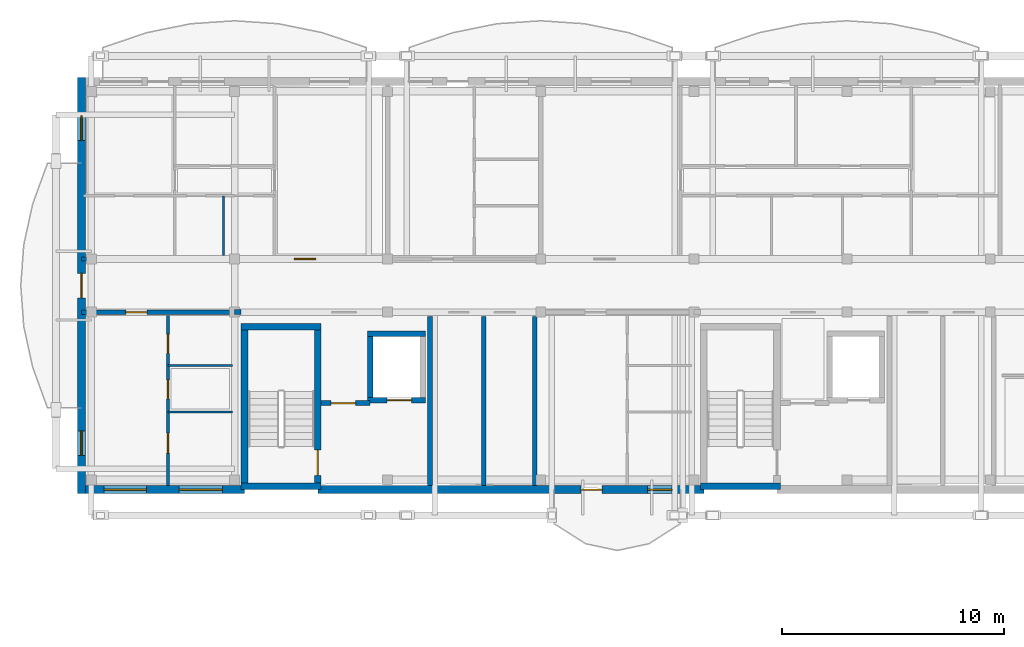
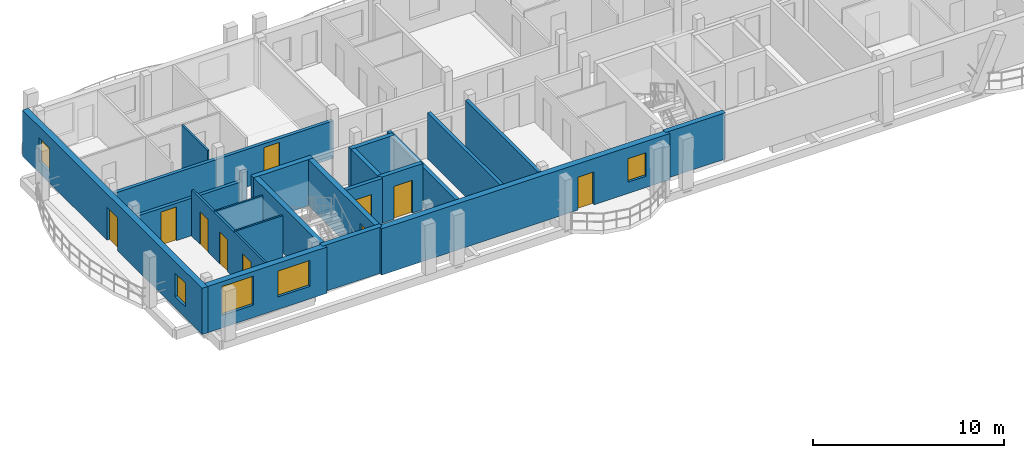
# One storey, part 20 of 44: 22 walls, 10 doors, 5 windows, 15 openings.
"""IFC4 building model written with IfcOpenShell, lengths in metres."""

from ifc_helpers import new_model, si_unit, direction, frame, frame_2d, origin, origin_with_axes, place, context, subcontext, project, spatial, rectangle, extrude, material, layer, layer_set, type_object, element, fill, save


model = new_model("IFC4")

# Units and contexts
model_context = context("Model", 3, precision=1e-05, world=origin(), true_north=direction((0.0, 1.0)))
body_context = subcontext(model_context, "Body", "Model", "MODEL_VIEW")
ifc_project = project(units=[si_unit("LENGTHUNIT", "METRE"), si_unit("AREAUNIT", "SQUARE_METRE"), si_unit("VOLUMEUNIT", "CUBIC_METRE"), si_unit("PLANEANGLEUNIT", "RADIAN"), si_unit("MASSUNIT", "GRAM", prefix="KILO")], contexts=[model_context])

# Site, building, storey
site_placement = place(None, origin())
site = spatial("IfcSite", under=ifc_project, at=site_placement, CompositionType="ELEMENT")
building_placement = place(site_placement, origin())
building = spatial("IfcBuilding", under=site, at=building_placement, Name="Zavelmont Quarter", CompositionType="ELEMENT")
storey_placement = place(building_placement, frame((0.0, 0.0, 20.800048828125)))
storey = spatial("IfcBuildingStorey", under=building, at=storey_placement, Name="L06", CompositionType="ELEMENT", Elevation=20.800048828125)

# Wall, openings, windows
ifc_material_1 = material(Name="Natural Belgian limestone", Category="masonry")
ifc_layer_1 = layer(ifc_material_1, 0.360107421875)
ifc_layer_set_1 = layer_set([ifc_layer_1], Name="Natural Belgian limestone")
wall_type_1 = type_object("IfcWallType", Name="EW02", PredefinedType="STANDARD", material=ifc_layer_set_1)
wall_1_placement = place(storey_placement, frame((0.169921875, 97.60009765625, 0.0), z_axis=(0.0, 0.0, 1.0), x_axis=(1.0, 0.0, 0.0)))
wall_1 = element("IfcWall", 1, at=wall_1_placement, inside=storey, type_object=wall_type_1, Name="L06 exterior limestone wall EW02", PredefinedType="STANDARD", context=body_context, shape_type="SweptSolid", body=[
    extrude(rectangle(XDim=7.18017578125, YDim=0.360107421875, at=frame_2d((3.590087890625, 0.0))), origin(), (0.0, 0.0, 1.0), 2.949951171875),
])
opening_1_placement = place(wall_1_placement, frame((0.85009765625, 0.0, 0.800048828125)))
opening_1 = element("IfcOpeningElement", 2, at=opening_1_placement, cuts=wall_1, Name="Opening WN20", PredefinedType="OPENING", context=body_context, shape_type="SweptSolid", body=[
    extrude(rectangle(XDim=1.89990234375, YDim=1.85009765625, at=frame_2d((0.949951171875, 0.925048828125))), frame((0.0, 0.19189453125, 0.0), z_axis=(0.0, -1.0, 0.0), x_axis=(1.0, 0.0, 0.0)), (0.0, 0.0, 1.0), 0.384033203125),
])
opening_2_placement = place(wall_1_placement, frame((4.22509765625, 0.0, 0.800048828125)))
opening_2 = element("IfcOpeningElement", 3, at=opening_2_placement, cuts=wall_1, Name="Opening WN24", PredefinedType="OPENING", context=body_context, shape_type="SweptSolid", body=[
    extrude(rectangle(XDim=1.949951171875, YDim=1.64990234375, at=frame_2d((0.97509765625, 0.824951171875))), frame((0.0, 0.19189453125, 0.0), z_axis=(0.0, -1.0, 0.0), x_axis=(1.0, 0.0, 0.0)), (0.0, 0.0, 1.0), 0.384033203125),
])
ifc_material_2 = material(Name="Double low-E insulated glazing in thermally broken aluminium frame", Category="aluminium")
window_type_1 = type_object("IfcWindowType", Name="WN20", PartitioningType="SINGLE_PANEL", PredefinedType="WINDOW", material=ifc_material_2)
window_1_placement = place(opening_1_placement, origin_with_axes())
window_1 = element("IfcWindow", 4, at=window_1_placement, inside=storey, type_object=window_type_1, Name="L06 window WN20", OverallHeight=1.85009765625, OverallWidth=1.89990234375, PartitioningType="SINGLE_PANEL", PredefinedType="WINDOW", context=body_context, shape_type="SweptSolid", body=[
    extrude(rectangle(XDim=1.89990234375, YDim=1.85009765625, at=frame_2d((0.949951171875, 0.925048828125))), frame((0.0, 0.030029296875, 0.0), z_axis=(0.0, -1.0, 0.0), x_axis=(1.0, 0.0, 0.0)), (0.0, 0.0, 1.0), 0.06005859375),
])
fill(opening_1, window_1)
window_type_2 = type_object("IfcWindowType", Name="WN24", PartitioningType="SINGLE_PANEL", PredefinedType="WINDOW", material=ifc_material_2)
window_2_placement = place(opening_2_placement, origin_with_axes())
window_2 = element("IfcWindow", 5, at=window_2_placement, inside=storey, type_object=window_type_2, Name="L06 window WN24", OverallHeight=1.64990234375, OverallWidth=1.949951171875, PartitioningType="SINGLE_PANEL", PredefinedType="WINDOW", context=body_context, shape_type="SweptSolid", body=[
    extrude(rectangle(XDim=1.949951171875, YDim=1.64990234375, at=frame_2d((0.97509765625, 0.824951171875))), frame((0.0, 0.030029296875, 0.0), z_axis=(0.0, -1.0, 0.0), x_axis=(1.0, 0.0, 0.0)), (0.0, 0.0, 1.0), 0.06005859375),
])
fill(opening_2, window_2)

# Wall, openings, door, window
wall_2_placement = place(storey_placement, frame((10.64990234375, 97.60009765625, 0.0), z_axis=(0.0, 0.0, 1.0), x_axis=(1.0, 0.0, 0.0)))
wall_2 = element("IfcWall", 6, at=wall_2_placement, inside=storey, type_object=wall_type_1, Name="L06 exterior limestone wall EW02", PredefinedType="STANDARD", context=body_context, shape_type="SweptSolid", body=[
    extrude(rectangle(XDim=17.400146484375, YDim=0.360107421875, at=frame_2d((8.7001953125, 0.0))), origin(), (0.0, 0.0, 1.0), 2.949951171875),
])
opening_3_placement = place(wall_2_placement, frame((11.8701171875, 0.0, 0.0)))
opening_3 = element("IfcOpeningElement", 7, at=opening_3_placement, cuts=wall_2, Name="Opening DR04", PredefinedType="OPENING", context=body_context, shape_type="SweptSolid", body=[
    extrude(rectangle(XDim=0.949951171875, YDim=2.10009765625, at=frame_2d((0.47509765625, 1.050048828125))), frame((0.0, 0.19189453125, 0.0), z_axis=(0.0, -1.0, 0.0), x_axis=(1.0, 0.0, 0.0)), (0.0, 0.0, 1.0), 0.384033203125),
])
opening_4_placement = place(wall_2_placement, frame((14.8701171875, 0.0, 0.719970703125)))
opening_4 = element("IfcOpeningElement", 8, at=opening_4_placement, cuts=wall_2, Name="Opening WN09", PredefinedType="OPENING", context=body_context, shape_type="SweptSolid", body=[
    extrude(rectangle(XDim=1.10009765625, YDim=1.5, at=frame_2d((0.550048828125, 0.75))), frame((0.0, 0.19189453125, 0.0), z_axis=(0.0, -1.0, 0.0), x_axis=(1.0, 0.0, 0.0)), (0.0, 0.0, 1.0), 0.384033203125),
])
ifc_material_3 = material(Name="Thermally broken aluminium and double safety glass", Category="aluminium")
door_type_1 = type_object("IfcDoorType", Name="DR04", OperationType="NOTDEFINED", PredefinedType="DOOR", material=ifc_material_3)
door_1_placement = place(opening_3_placement, origin_with_axes())
door_1 = element("IfcDoor", 9, at=door_1_placement, inside=storey, type_object=door_type_1, Name="Block B L06 glazed balcony door", OperationType="SINGLE_SWING_RIGHT", OverallHeight=2.10009765625, OverallWidth=0.949951171875, PredefinedType="DOOR", context=body_context, shape_type="SweptSolid", body=[
    extrude(rectangle(XDim=0.949951171875, YDim=2.10009765625, at=frame_2d((0.47509765625, 1.050048828125))), frame((0.0, 0.02490234375, 0.0), z_axis=(0.0, -1.0, 0.0), x_axis=(1.0, 0.0, 0.0)), (0.0, 0.0, 1.0), 0.050048828125),
])
fill(opening_3, door_1)
window_type_3 = type_object("IfcWindowType", Name="WN09", PartitioningType="SINGLE_PANEL", PredefinedType="WINDOW", material=ifc_material_2)
window_3_placement = place(opening_4_placement, origin_with_axes())
window_3 = element("IfcWindow", 10, at=window_3_placement, inside=storey, type_object=window_type_3, Name="L06 window WN09", OverallHeight=1.5, OverallWidth=1.10009765625, PartitioningType="SINGLE_PANEL", PredefinedType="WINDOW", context=body_context, shape_type="SweptSolid", body=[
    extrude(rectangle(XDim=1.10009765625, YDim=1.5, at=frame_2d((0.550048828125, 0.75))), frame((0.0, 0.030029296875, 0.0), z_axis=(0.0, -1.0, 0.0), x_axis=(1.0, 0.0, 0.0)), (0.0, 0.0, 1.0), 0.06005859375),
])
fill(opening_4, window_3)

# Wall, openings, door, windows
wall_3_placement = place(storey_placement, frame((0.0, 97.419921875, 0.0), z_axis=(0.0, 0.0, 1.0), x_axis=(0.0, 1.0, 0.0)))
wall_3 = element("IfcWall", 11, at=wall_3_placement, inside=storey, type_object=wall_type_1, Name="L06 exterior limestone wall EW02", PredefinedType="STANDARD", context=body_context, shape_type="SweptSolid", body=[
    extrude(rectangle(XDim=18.760009765625, YDim=0.360107421875, at=frame_2d((9.3798828125, 0.0))), origin(), (0.0, 0.0, 1.0), 2.949951171875),
])
opening_5_placement = place(wall_3_placement, frame((8.830078125, 0.0, 0.0)))
opening_5 = element("IfcOpeningElement", 12, at=opening_5_placement, cuts=wall_3, Name="Opening DR04B", PredefinedType="OPENING", context=body_context, shape_type="SweptSolid", body=[
    extrude(rectangle(XDim=1.10009765625, YDim=2.10009765625, at=frame_2d((0.550048828125, 1.050048828125))), frame((0.0, 0.19189453125, 0.0), z_axis=(0.0, -1.0, 0.0), x_axis=(1.0, 0.0, 0.0)), (0.0, 0.0, 1.0), 0.384033203125),
])
opening_6_placement = place(wall_3_placement, frame((1.72998046875, 0.0, 0.719970703125)))
opening_6 = element("IfcOpeningElement", 13, at=opening_6_placement, cuts=wall_3, Name="Opening WN09", PredefinedType="OPENING", context=body_context, shape_type="SweptSolid", body=[
    extrude(rectangle(XDim=1.10009765625, YDim=1.5, at=frame_2d((0.550048828125, 0.75))), frame((0.0, 0.19189453125, 0.0), z_axis=(0.0, -1.0, 0.0), x_axis=(1.0, 0.0, 0.0)), (0.0, 0.0, 1.0), 0.384033203125),
])
opening_7_placement = place(wall_3_placement, frame((15.929931640625, 0.0, 0.719970703125)))
opening_7 = element("IfcOpeningElement", 14, at=opening_7_placement, cuts=wall_3, Name="Opening WN09", PredefinedType="OPENING", context=body_context, shape_type="SweptSolid", body=[
    extrude(rectangle(XDim=1.10009765625, YDim=1.5, at=frame_2d((0.550048828125, 0.75))), frame((0.0, 0.19189453125, 0.0), z_axis=(0.0, -1.0, 0.0), x_axis=(1.0, 0.0, 0.0)), (0.0, 0.0, 1.0), 0.384033203125),
])
door_type_2 = type_object("IfcDoorType", Name="DR04B", OperationType="NOTDEFINED", PredefinedType="DOOR", material=ifc_material_3)
door_2_placement = place(opening_5_placement, frame((1.10009765625, 0.0, 0.0), z_axis=(0.0, 0.0, 1.0), x_axis=(-1.0, 0.0, 0.0)))
door_2 = element("IfcDoor", 15, at=door_2_placement, inside=storey, type_object=door_type_2, Name="Block B L06 terrace or vase balcony door", OperationType="SINGLE_SWING_RIGHT", OverallHeight=2.10009765625, OverallWidth=1.10009765625, PredefinedType="DOOR", context=body_context, shape_type="SweptSolid", body=[
    extrude(rectangle(XDim=1.10009765625, YDim=2.10009765625, at=frame_2d((0.550048828125, 1.050048828125))), frame((0.0, 0.02490234375, 0.0), z_axis=(0.0, -1.0, 0.0), x_axis=(1.0, 0.0, 0.0)), (0.0, 0.0, 1.0), 0.050048828125),
])
fill(opening_5, door_2)
window_4_placement = place(opening_6_placement, origin_with_axes())
window_4 = element("IfcWindow", 16, at=window_4_placement, inside=storey, type_object=window_type_3, Name="L06 window WN09", OverallHeight=1.5, OverallWidth=1.10009765625, PartitioningType="SINGLE_PANEL", PredefinedType="WINDOW", context=body_context, shape_type="SweptSolid", body=[
    extrude(rectangle(XDim=1.10009765625, YDim=1.5, at=frame_2d((0.550048828125, 0.75))), frame((0.0, 0.030029296875, 0.0), z_axis=(0.0, -1.0, 0.0), x_axis=(1.0, 0.0, 0.0)), (0.0, 0.0, 1.0), 0.06005859375),
])
fill(opening_6, window_4)
window_5_placement = place(opening_7_placement, origin_with_axes())
window_5 = element("IfcWindow", 17, at=window_5_placement, inside=storey, type_object=window_type_3, Name="L06 window WN09", OverallHeight=1.5, OverallWidth=1.10009765625, PartitioningType="SINGLE_PANEL", PredefinedType="WINDOW", context=body_context, shape_type="SweptSolid", body=[
    extrude(rectangle(XDim=1.10009765625, YDim=1.5, at=frame_2d((0.550048828125, 0.75))), frame((0.0, 0.030029296875, 0.0), z_axis=(0.0, -1.0, 0.0), x_axis=(1.0, 0.0, 0.0)), (0.0, 0.0, 1.0), 0.06005859375),
])
fill(opening_7, window_5)

# Walls
ifc_material_4 = material(Name="Calcium-silicate blockwork and acoustic plaster", Category="masonry")
ifc_layer_2 = layer(ifc_material_4, 0.199951171875)
ifc_layer_set_2 = layer_set([ifc_layer_2], Name="Calcium-silicate blockwork and acoustic plaster")
wall_type_2 = type_object("IfcWallType", Name="IW01", PredefinedType="PARTITIONING", material=ifc_layer_set_2)
for number, where, z_axis, x_axis, name in (
    (18, (18.125, 97.800048828125, 0.0), (0.0, 0.0, 1.0), (0.0, 1.0, 0.0), "L06 Service riser divider wall IW01"),
    (19, (20.419921875, 97.800048828125, 0.0), (0.0, 0.0, 1.0), (0.0, 1.0, 0.0), "L06 Core service end wall IW01"),
):
    element("IfcWall", number, at=place(storey_placement, frame(where, z_axis=z_axis, x_axis=x_axis)), inside=storey, type_object=wall_type_2, Name=name, PredefinedType="PARTITIONING", context=body_context, shape_type="SweptSolid", body=[
        extrude(rectangle(XDim=7.599853515625, YDim=0.199951171875, at=frame_2d((3.7998046875, 0.0))), origin(), (0.0, 0.0, 1.0), 2.949951171875),
    ])

# Wall, opening, door
wall_4_placement = place(storey_placement, frame((0.0, 108.0, 0.0), z_axis=(0.0, 0.0, 1.0), x_axis=(1.0, 0.0, 0.0)))
wall_4 = element("IfcWall", 20, at=wall_4_placement, inside=storey, type_object=wall_type_2, Name="L06 Corridor compartment wall IW01", PredefinedType="PARTITIONING", context=body_context, shape_type="SweptSolid", body=[
    extrude(rectangle(XDim=13.800048828125, YDim=0.199951171875, at=frame_2d((6.89990234375, 0.0))), origin(), (0.0, 0.0, 1.0), 2.389892578125),
])
opening_8_placement = place(wall_4_placement, frame((9.60009765625, 0.0, 0.0)))
opening_8 = element("IfcOpeningElement", 21, at=opening_8_placement, cuts=wall_4, Name="Opening DR02", PredefinedType="OPENING", context=body_context, shape_type="SweptSolid", body=[
    extrude(rectangle(XDim=0.949951171875, YDim=2.14990234375, at=frame_2d((0.47509765625, 1.074951171875))), frame((0.0, 0.11181640625, 0.0), z_axis=(0.0, -1.0, 0.0), x_axis=(1.0, 0.0, 0.0)), (0.0, 0.0, 1.0), 0.223876953125),
])
ifc_material_5 = material(Name="Solid-core oak fire leaf in steel frame", Category="steel")
door_type_3 = type_object("IfcDoorType", Name="DR02", OperationType="NOTDEFINED", PredefinedType="DOOR", material=ifc_material_5)
door_3_placement = place(opening_8_placement, origin_with_axes())
door_3 = element("IfcDoor", 22, at=door_3_placement, inside=storey, type_object=door_type_3, Name="L06 door DR02", OperationType="SINGLE_SWING_LEFT", OverallHeight=2.14990234375, OverallWidth=0.949951171875, PredefinedType="DOOR", context=body_context, shape_type="SweptSolid", body=[
    extrude(rectangle(XDim=0.949951171875, YDim=2.14990234375, at=frame_2d((0.47509765625, 1.074951171875))), frame((0.0, 0.02490234375, 0.0), z_axis=(0.0, -1.0, 0.0), x_axis=(1.0, 0.0, 0.0)), (0.0, 0.0, 1.0), 0.050048828125),
])
fill(opening_8, door_3)

wall_5_placement = place(storey_placement, frame((0.0, 105.60009765625, 0.0), z_axis=(0.0, 0.0, 1.0), x_axis=(1.0, 0.0, 0.0)))
wall_5 = element("IfcWall", 23, at=wall_5_placement, inside=storey, type_object=wall_type_2, Name="L06 Corridor compartment wall IW01", PredefinedType="PARTITIONING", context=body_context, shape_type="SweptSolid", body=[
    extrude(rectangle(XDim=6.89990234375, YDim=0.199951171875, at=frame_2d((3.449951171875, 0.0))), origin(), (0.0, 0.0, 1.0), 2.389892578125),
])
opening_9_placement = place(wall_5_placement, frame((2.0, 0.0, 0.0)))
opening_9 = element("IfcOpeningElement", 24, at=opening_9_placement, cuts=wall_5, Name="Opening DR02", PredefinedType="OPENING", context=body_context, shape_type="SweptSolid", body=[
    extrude(rectangle(XDim=0.949951171875, YDim=2.14990234375, at=frame_2d((0.47509765625, 1.074951171875))), frame((0.0, 0.11181640625, 0.0), z_axis=(0.0, -1.0, 0.0), x_axis=(1.0, 0.0, 0.0)), (0.0, 0.0, 1.0), 0.223876953125),
])
door_4_placement = place(opening_9_placement, frame((0.949951171875, 0.0, 0.0), z_axis=(0.0, 0.0, 1.0), x_axis=(-1.0, 0.0, 0.0)))
door_4 = element("IfcDoor", 25, at=door_4_placement, inside=storey, type_object=door_type_3, Name="L06 door DR02", OperationType="SINGLE_SWING_LEFT", OverallHeight=2.14990234375, OverallWidth=0.949951171875, PredefinedType="DOOR", context=body_context, shape_type="SweptSolid", body=[
    extrude(rectangle(XDim=0.949951171875, YDim=2.14990234375, at=frame_2d((0.47509765625, 1.074951171875))), frame((0.0, 0.02490234375, 0.0), z_axis=(0.0, -1.0, 0.0), x_axis=(1.0, 0.0, 0.0)), (0.0, 0.0, 1.0), 0.050048828125),
])
fill(opening_9, door_4)

# Wall
ifc_material_6 = material(Name="Reinforced masonry fire compartment wall", Category="masonry")
ifc_layer_3 = layer(ifc_material_6, 0.22509765625)
ifc_layer_set_3 = layer_set([ifc_layer_3], Name="Reinforced masonry fire compartment wall")
wall_type_3 = type_object("IfcWallType", Name="IW02", PredefinedType="PARTITIONING", material=ifc_layer_set_3)
wall_6_placement = place(storey_placement, frame((15.7099609375, 97.800048828125, 0.0), z_axis=(0.0, 0.0, 1.0), x_axis=(0.0, 1.0, 0.0)))
element("IfcWall", 26, at=wall_6_placement, inside=storey, type_object=wall_type_3, Name="L06 Firefighting lobby enclosure wall IW02", PredefinedType="PARTITIONING", context=body_context, shape_type="SweptSolid", body=[
    extrude(rectangle(XDim=7.599853515625, YDim=0.22509765625, at=frame_2d((3.7998046875, 0.0))), origin(), (0.0, 0.0, 1.0), 2.58984375),
])

# Wall, opening, door
wall_7_placement = place(storey_placement, frame((10.800048828125, 101.5, 0.0), z_axis=(0.0, 0.0, 1.0), x_axis=(1.0, 0.0, 0.0)))
wall_7 = element("IfcWall", 27, at=wall_7_placement, inside=storey, type_object=wall_type_3, Name="L06 Firefighting lobby threshold wall IW02", PredefinedType="PARTITIONING", context=body_context, shape_type="SweptSolid", body=[
    extrude(rectangle(XDim=2.199951171875, YDim=0.22509765625, at=frame_2d((1.10009765625, 0.0))), origin(), (0.0, 0.0, 1.0), 2.949951171875),
])
opening_10_placement = place(wall_7_placement, frame((0.449951171875, 0.0, 0.0)))
opening_10 = element("IfcOpeningElement", 28, at=opening_10_placement, cuts=wall_7, Name="Opening DR10", PredefinedType="OPENING", context=body_context, shape_type="SweptSolid", body=[
    extrude(rectangle(XDim=1.10009765625, YDim=2.14990234375, at=frame_2d((0.550048828125, 1.074951171875))), frame((0.0, 0.12451171875, 0.0), z_axis=(0.0, -1.0, 0.0), x_axis=(1.0, 0.0, 0.0)), (0.0, 0.0, 1.0), 0.2490234375),
])
ifc_material_7 = material(Name="Painted steel lobby fire door", Category="steel")
door_type_4 = type_object("IfcDoorType", Name="DR10", OperationType="NOTDEFINED", PredefinedType="DOOR", material=ifc_material_7)
door_5_placement = place(opening_10_placement, frame((1.10009765625, 0.0, 0.0), z_axis=(0.0, 0.0, 1.0), x_axis=(-1.0, 0.0, 0.0)))
door_5 = element("IfcDoor", 29, at=door_5_placement, inside=storey, type_object=door_type_4, Name="Firefighting lobby fire door", OperationType="SINGLE_SWING_RIGHT", OverallHeight=2.14990234375, OverallWidth=1.10009765625, PredefinedType="DOOR", context=body_context, shape_type="SweptSolid", body=[
    extrude(rectangle(XDim=1.10009765625, YDim=2.14990234375, at=frame_2d((0.550048828125, 1.074951171875))), frame((0.0, 0.02490234375, 0.0), z_axis=(0.0, -1.0, 0.0), x_axis=(1.0, 0.0, 0.0)), (0.0, 0.0, 1.0), 0.050048828125),
])
fill(opening_10, door_5)

# Wall
wall_8_placement = place(storey_placement, frame((6.89990234375, 105.60009765625, 0.0), z_axis=(0.0, 0.0, 1.0), x_axis=(1.0, 0.0, 0.0)))
element("IfcWall", 30, at=wall_8_placement, inside=storey, type_object=wall_type_3, Name="L06 Core corridor wall IW02", PredefinedType="PARTITIONING", context=body_context, shape_type="SweptSolid", body=[
    extrude(rectangle(XDim=0.300048828125, YDim=0.22509765625, at=frame_2d((0.14990234375, 0.0))), origin(), (0.0, 0.0, 1.0), 2.949951171875),
])

# Wall, openings, doors
ifc_material_8 = material(Name="Double gypsum board on acoustic steel stud", Category="steel")
ifc_layer_4 = layer(ifc_material_8, 0.125)
ifc_layer_set_4 = layer_set([ifc_layer_4], Name="Double gypsum board on acoustic steel stud")
wall_type_4 = type_object("IfcWallType", Name="IW03", PredefinedType="PARTITIONING", material=ifc_layer_set_4)
wall_9_placement = place(storey_placement, frame((3.89990234375, 105.449951171875, 0.0), z_axis=(0.0, 0.0, 1.0), x_axis=(0.0, -1.0, 0.0)))
wall_9 = element("IfcWall", 31, at=wall_9_placement, inside=storey, type_object=wall_type_4, Name="L06 Partition IW03", PredefinedType="PARTITIONING", context=body_context, shape_type="SweptSolid", body=[
    extrude(rectangle(XDim=7.64990234375, YDim=0.125, at=frame_2d((3.824951171875, 0.0))), origin(), (0.0, 0.0, 1.0), 2.949951171875),
])
opening_11_placement = place(wall_9_placement, frame((0.85009765625, 0.0, 0.0)))
opening_11 = element("IfcOpeningElement", 32, at=opening_11_placement, cuts=wall_9, Name="Opening DR16", PredefinedType="OPENING", context=body_context, shape_type="SweptSolid", body=[
    extrude(rectangle(XDim=0.85009765625, YDim=2.10009765625, at=frame_2d((0.425048828125, 1.050048828125))), frame((0.0, 0.074462890625, 0.0), z_axis=(0.0, -1.0, 0.0), x_axis=(1.0, 0.0, 0.0)), (0.0, 0.0, 1.0), 0.14892578125),
])
opening_12_placement = place(wall_9_placement, frame((2.89990234375, 0.0, 0.0)))
opening_12 = element("IfcOpeningElement", 33, at=opening_12_placement, cuts=wall_9, Name="Opening DR06", PredefinedType="OPENING", context=body_context, shape_type="SweptSolid", body=[
    extrude(rectangle(XDim=0.85009765625, YDim=2.050048828125, at=frame_2d((0.425048828125, 1.02490234375))), frame((0.0, 0.074462890625, 0.0), z_axis=(0.0, -1.0, 0.0), x_axis=(1.0, 0.0, 0.0)), (0.0, 0.0, 1.0), 0.14892578125),
])
opening_13_placement = place(wall_9_placement, frame((5.300048828125, 0.0, 0.0)))
opening_13 = element("IfcOpeningElement", 34, at=opening_13_placement, cuts=wall_9, Name="Opening DR05", PredefinedType="OPENING", context=body_context, shape_type="SweptSolid", body=[
    extrude(rectangle(XDim=0.89990234375, YDim=2.10009765625, at=frame_2d((0.449951171875, 1.050048828125))), frame((0.0, 0.074462890625, 0.0), z_axis=(0.0, -1.0, 0.0), x_axis=(1.0, 0.0, 0.0)), (0.0, 0.0, 1.0), 0.14892578125),
])
ifc_material_9 = material(Name="Engineered oak flush interior door")
door_type_5 = type_object("IfcDoorType", Name="DR05", OperationType="NOTDEFINED", PredefinedType="DOOR", material=ifc_material_9)
door_6_placement = place(opening_13_placement, frame((0.89990234375, 0.0, 0.0), z_axis=(0.0, 0.0, 1.0), x_axis=(-1.0, 0.0, 0.0)))
door_6 = element("IfcDoor", 35, at=door_6_placement, inside=storey, type_object=door_type_5, Name="L06 door DR05", OperationType="SINGLE_SWING_LEFT", OverallHeight=2.10009765625, OverallWidth=0.89990234375, PredefinedType="DOOR", context=body_context, shape_type="SweptSolid", body=[
    extrude(rectangle(XDim=0.89990234375, YDim=2.10009765625, at=frame_2d((0.449951171875, 1.050048828125))), frame((0.0, 0.02490234375, 0.0), z_axis=(0.0, -1.0, 0.0), x_axis=(1.0, 0.0, 0.0)), (0.0, 0.0, 1.0), 0.050048828125),
])
fill(opening_13, door_6)
ifc_material_10 = material(Name="Moisture-resistant painted wet-room door")
door_type_6 = type_object("IfcDoorType", Name="DR06", OperationType="NOTDEFINED", PredefinedType="DOOR", material=ifc_material_10)
door_7_placement = place(opening_12_placement, origin_with_axes())
door_7 = element("IfcDoor", 36, at=door_7_placement, inside=storey, type_object=door_type_6, Name="L06 door DR06", OperationType="SINGLE_SWING_RIGHT", OverallHeight=2.050048828125, OverallWidth=0.85009765625, PredefinedType="DOOR", context=body_context, shape_type="SweptSolid", body=[
    extrude(rectangle(XDim=0.85009765625, YDim=2.050048828125, at=frame_2d((0.425048828125, 1.02490234375))), frame((0.0, 0.02490234375, 0.0), z_axis=(0.0, -1.0, 0.0), x_axis=(1.0, 0.0, 0.0)), (0.0, 0.0, 1.0), 0.050048828125),
])
fill(opening_12, door_7)
door_type_7 = type_object("IfcDoorType", Name="DR16", OperationType="NOTDEFINED", PredefinedType="DOOR", material=ifc_material_9)
door_8_placement = place(opening_11_placement, frame((0.85009765625, 0.0, 0.0), z_axis=(0.0, 0.0, 1.0), x_axis=(-1.0, 0.0, 0.0)))
door_8 = element("IfcDoor", 37, at=door_8_placement, inside=storey, type_object=door_type_7, Name="L06 door DR16", OperationType="SINGLE_SWING_LEFT", OverallHeight=2.10009765625, OverallWidth=0.85009765625, PredefinedType="DOOR", context=body_context, shape_type="SweptSolid", body=[
    extrude(rectangle(XDim=0.85009765625, YDim=2.10009765625, at=frame_2d((0.425048828125, 1.050048828125))), frame((0.0, 0.02490234375, 0.0), z_axis=(0.0, -1.0, 0.0), x_axis=(1.0, 0.0, 0.0)), (0.0, 0.0, 1.0), 0.050048828125),
])
fill(opening_11, door_8)

# Walls
ifc_material_11 = material(Name="Moisture-resistant gypsum board on steel stud", Category="steel")
ifc_layer_5 = layer(ifc_material_11, 0.10009765625)
ifc_layer_set_5 = layer_set([ifc_layer_5], Name="Moisture-resistant gypsum board on steel stud")
wall_type_5 = type_object("IfcWallType", Name="IW04", PredefinedType="PARTITIONING", material=ifc_layer_set_5)
wall_10_placement = place(storey_placement, frame((6.39990234375, 108.14990234375, 0.0), z_axis=(0.0, 0.0, 1.0), x_axis=(0.0, 1.0, 0.0)))
element("IfcWall", 38, at=wall_10_placement, inside=storey, type_object=wall_type_5, Name="L06 Partition IW04", PredefinedType="PARTITIONING", context=body_context, shape_type="SweptSolid", body=[
    extrude(rectangle(XDim=2.7001953125, YDim=0.10009765625, at=frame_2d((1.35009765625, 0.0))), origin(), (0.0, 0.0, 1.0), 2.949951171875),
])
for number, where, z_axis, x_axis, name in (
    (39, (3.89990234375, 103.199951171875, 0.0), (0.0, 0.0, 1.0), (1.0, 0.0, 0.0), "L06 Partition IW04"),
    (40, (3.89990234375, 101.10009765625, 0.0), (0.0, 0.0, 1.0), (1.0, 0.0, 0.0), "L06 Partition IW04"),
):
    element("IfcWall", number, at=place(storey_placement, frame(where, z_axis=z_axis, x_axis=x_axis)), inside=storey, type_object=wall_type_5, Name=name, PredefinedType="PARTITIONING", context=body_context, shape_type="SweptSolid", body=[
        extrude(rectangle(XDim=2.900146484375, YDim=0.10009765625, at=frame_2d((1.4501953125, 0.0))), origin(), (0.0, 0.0, 1.0), 2.949951171875),
    ])
ifc_material_12 = material(Name="Concrete C40/50", Category="concrete")
ifc_layer_6 = layer(ifc_material_12, 0.300048828125)
ifc_layer_set_6 = layer_set([ifc_layer_6], Name="Concrete C40/50")
wall_type_6 = type_object("IfcWallType", Name="SW01", PredefinedType="SHEAR", material=ifc_layer_set_6)
wall_11_placement = place(storey_placement, frame((7.199951171875, 104.949951171875, 0.0), z_axis=(0.0, 0.0, 1.0), x_axis=(1.0, 0.0, 0.0)))
element("IfcWall", 41, at=wall_11_placement, inside=storey, type_object=wall_type_6, Name="L06 ST03 corridor shear wall SW01", PredefinedType="SHEAR", context=body_context, shape_type="SweptSolid", body=[
    extrude(rectangle(XDim=3.60009765625, YDim=0.300048828125, at=frame_2d((1.800048828125, 0.0))), origin(), (0.0, 0.0, 1.0), 2.949951171875),
])
wall_12_placement = place(storey_placement, frame((7.35009765625, 97.60009765625, 0.0), z_axis=(0.0, 0.0, 1.0), x_axis=(0.0, 1.0, 0.0)))
element("IfcWall", 42, at=wall_12_placement, inside=storey, type_object=wall_type_6, Name="L06 ST03 west shear wall SW01", PredefinedType="SHEAR", context=body_context, shape_type="SweptSolid", body=[
    extrude(rectangle(XDim=7.5, YDim=0.300048828125, at=frame_2d((3.75, 0.0))), origin(), (0.0, 0.0, 1.0), 2.949951171875),
])

# Wall, opening, door
wall_13_placement = place(storey_placement, frame((10.64990234375, 97.60009765625, 0.0), z_axis=(0.0, 0.0, 1.0), x_axis=(0.0, 1.0, 0.0)))
wall_13 = element("IfcWall", 43, at=wall_13_placement, inside=storey, type_object=wall_type_6, Name="L06 ST03 lobby shear wall SW01", PredefinedType="SHEAR", context=body_context, shape_type="SweptSolid", body=[
    extrude(rectangle(XDim=7.5, YDim=0.300048828125, at=frame_2d((3.75, 0.0))), origin(), (0.0, 0.0, 1.0), 2.949951171875),
])
opening_14_placement = place(wall_13_placement, frame((0.64990234375, 0.0, 0.0)))
opening_14 = element("IfcOpeningElement", 44, at=opening_14_placement, cuts=wall_13, Name="Opening DR09", PredefinedType="OPENING", context=body_context, shape_type="SweptSolid", body=[
    extrude(rectangle(XDim=1.14990234375, YDim=2.14990234375, at=frame_2d((0.574951171875, 1.074951171875))), frame((0.0, 0.162109375, 0.0), z_axis=(0.0, -1.0, 0.0), x_axis=(1.0, 0.0, 0.0)), (0.0, 0.0, 1.0), 0.323974609375),
])
ifc_material_13 = material(Name="Painted steel stair-core fire door", Category="steel")
door_type_8 = type_object("IfcDoorType", Name="DR09", OperationType="NOTDEFINED", PredefinedType="DOOR", material=ifc_material_13)
door_9_placement = place(opening_14_placement, origin_with_axes())
door_9 = element("IfcDoor", 45, at=door_9_placement, inside=storey, type_object=door_type_8, Name="ST03 protected stair door", OperationType="SINGLE_SWING_RIGHT", OverallHeight=2.14990234375, OverallWidth=1.14990234375, PredefinedType="DOOR", context=body_context, shape_type="SweptSolid", body=[
    extrude(rectangle(XDim=1.14990234375, YDim=2.14990234375, at=frame_2d((0.574951171875, 1.074951171875))), frame((0.0, 0.02490234375, 0.0), z_axis=(0.0, -1.0, 0.0), x_axis=(1.0, 0.0, 0.0)), (0.0, 0.0, 1.0), 0.050048828125),
])
fill(opening_14, door_9)

ifc_layer_7 = layer(ifc_material_12, 0.25)
ifc_layer_set_7 = layer_set([ifc_layer_7], Name="Concrete C40/50")
wall_type_7 = type_object("IfcWallType", Name="SW02", PredefinedType="SHEAR", material=ifc_layer_set_7)
wall_14_placement = place(storey_placement, frame((12.89990234375, 101.625, 0.0), z_axis=(0.0, 0.0, 1.0), x_axis=(1.0, 0.0, 0.0)))
wall_14 = element("IfcWall", 46, at=wall_14_placement, inside=storey, type_object=wall_type_7, Name="L06 Lift FL02 landing shaft wall SW02", PredefinedType="SHEAR", context=body_context, shape_type="SweptSolid", body=[
    extrude(rectangle(XDim=2.60009765625, YDim=0.25, at=frame_2d((1.300048828125, 0.0))), origin(), (0.0, 0.0, 1.0), 2.949951171875),
])
opening_15_placement = place(wall_14_placement, frame((0.875, 0.0, 0.0)))
opening_15 = element("IfcOpeningElement", 47, at=opening_15_placement, cuts=wall_14, Name="Opening LD02", PredefinedType="OPENING", context=body_context, shape_type="SweptSolid", body=[
    extrude(rectangle(XDim=1.10009765625, YDim=2.10009765625, at=frame_2d((0.550048828125, 1.050048828125))), frame((0.0, 0.136962890625, 0.0), z_axis=(0.0, -1.0, 0.0), x_axis=(1.0, 0.0, 0.0)), (0.0, 0.0, 1.0), 0.27392578125),
])
ifc_material_14 = material(Name="Brushed stainless-steel firefighting lift landing door", Category="steel")
door_type_9 = type_object("IfcDoorType", Name="LD02", OperationType="SLIDING_TO_LEFT", PredefinedType="DOOR", material=ifc_material_14)
door_10_placement = place(opening_15_placement, origin_with_axes())
door_10 = element("IfcDoor", 48, at=door_10_placement, inside=storey, type_object=door_type_9, Name="Lift FL02 sliding landing door", OperationType="SLIDING_TO_LEFT", OverallHeight=2.10009765625, OverallWidth=1.10009765625, PredefinedType="DOOR", context=body_context, shape_type="SweptSolid", body=[
    extrude(rectangle(XDim=1.10009765625, YDim=2.10009765625, at=frame_2d((0.550048828125, 1.050048828125))), frame((0.0, 0.02490234375, 0.0), z_axis=(0.0, -1.0, 0.0), x_axis=(1.0, 0.0, 0.0)), (0.0, 0.0, 1.0), 0.050048828125),
])
fill(opening_15, door_10)

# Walls
wall_15_placement = place(storey_placement, frame((12.89990234375, 104.625, 0.0), z_axis=(0.0, 0.0, 1.0), x_axis=(1.0, 0.0, 0.0)))
element("IfcWall", 49, at=wall_15_placement, inside=storey, type_object=wall_type_7, Name="L06 Lift FL02 back shaft wall SW02", PredefinedType="SHEAR", context=body_context, shape_type="SweptSolid", body=[
    extrude(rectangle(XDim=2.60009765625, YDim=0.25, at=frame_2d((1.300048828125, 0.0))), origin(), (0.0, 0.0, 1.0), 2.949951171875),
])
wall_16_placement = place(storey_placement, frame((13.02490234375, 101.5, 0.0), z_axis=(0.0, 0.0, 1.0), x_axis=(0.0, 1.0, 0.0)))
element("IfcWall", 50, at=wall_16_placement, inside=storey, type_object=wall_type_7, Name="L06 Lift FL02 west shaft wall SW02", PredefinedType="SHEAR", context=body_context, shape_type="SweptSolid", body=[
    extrude(rectangle(XDim=3.25, YDim=0.25, at=frame_2d((1.625, 0.0))), origin(), (0.0, 0.0, 1.0), 2.949951171875),
])
ifc_layer_8 = layer(ifc_material_12, 0.300048828125)
ifc_layer_set_8 = layer_set([ifc_layer_8], Name="Concrete C40/50")
wall_type_8 = type_object("IfcWallType", Name="SW03", PredefinedType="SHEAR", material=ifc_layer_set_8)
for number, where, z_axis, x_axis, name in (
    (51, (7.199951171875, 97.75, 0.0), (0.0, 0.0, 1.0), (1.0, 0.0, 0.0), "L06 ST03 outer shear wall SW03"),
    (52, (27.89990234375, 97.75, 0.0), (0.0, 0.0, 1.0), (1.0, 0.0, 0.0), "L06 ST04 outer shear wall SW03"),
):
    element("IfcWall", number, at=place(storey_placement, frame(where, z_axis=z_axis, x_axis=x_axis)), inside=storey, type_object=wall_type_8, Name=name, PredefinedType="SHEAR", context=body_context, shape_type="SweptSolid", body=[
        extrude(rectangle(XDim=3.60009765625, YDim=0.300048828125, at=frame_2d((1.800048828125, 0.0))), origin(), (0.0, 0.0, 1.0), 2.949951171875),
    ])

save(model, "model.ifc")
